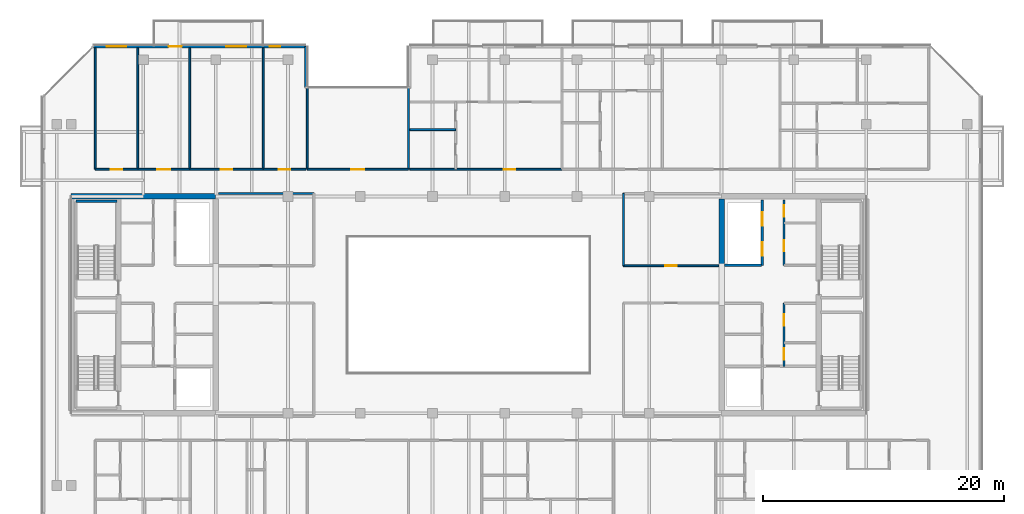
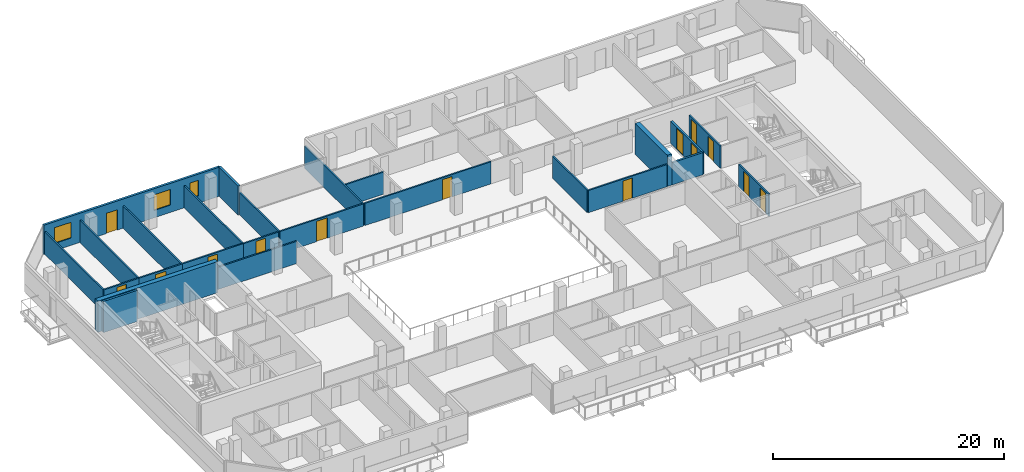
# One storey, part 21 of 28: 25 walls, 14 doors, 3 windows, 17 openings.
"""IFC4 building model written with IfcOpenShell, lengths in metres."""

from ifc_helpers import new_model, si_unit, direction, frame, frame_2d, origin, place, context, subcontext, project, spatial, rectangle, extrude, material, layer, layer_set, type_object, element, fill, save


model = new_model("IFC4")

# Units and contexts
model_context = context("Model", 3, precision=1e-05, world=origin(), true_north=direction((0.0, 1.0)))
body_context = subcontext(model_context, "Body", "Model", "MODEL_VIEW")
ifc_project = project(units=[si_unit("LENGTHUNIT", "METRE"), si_unit("AREAUNIT", "SQUARE_METRE"), si_unit("VOLUMEUNIT", "CUBIC_METRE"), si_unit("PLANEANGLEUNIT", "RADIAN"), si_unit("MASSUNIT", "GRAM", prefix="KILO")], contexts=[model_context])

# Site, building, storey
site_placement = place(None, origin())
site = spatial("IfcSite", under=ifc_project, at=site_placement, CompositionType="ELEMENT")
building_placement = place(site_placement, origin())
building = spatial("IfcBuilding", under=site, at=building_placement, Name="Tanjung Sevakor Pilgrim Tower", CompositionType="ELEMENT")
storey_placement = place(building_placement, frame((0.0, 0.0, 185.1298828125)))
storey = spatial("IfcBuildingStorey", under=building, at=storey_placement, Name="L51", CompositionType="ELEMENT", Elevation=185.1298828125)

# Walls
ifc_material_1 = material(Name="Concrete C60/75", Category="concrete")
ifc_layer_1 = layer(ifc_material_1, 0.449951171875)
ifc_layer_set_1 = layer_set([ifc_layer_1], Name="WALL-CW-450")
wall_type_1 = type_object("IfcWallType", Name="WALL-CW-450", PredefinedType="SHEAR", material=ifc_layer_set_1)
wall_1_placement = place(storey_placement, frame((36.0, 42.60009765625, 0.0), z_axis=(0.0, 0.0, 1.0), x_axis=(-1.0, 0.0, 0.0)))
element("IfcWall", 1, at=wall_1_placement, inside=storey, type_object=wall_type_1, Name="L51 W Core North Shear Wall", PredefinedType="SHEAR", context=body_context, shape_type="SweptSolid", body=[
    extrude(rectangle(XDim=12.0, YDim=0.449951171875, at=frame_2d((6.0, 0.0))), origin(), (0.0, 0.0, 1.0), 3.300048828125),
])
wall_2_placement = place(storey_placement, frame((78.0, 36.800048828125, 0.0), z_axis=(0.0, 0.0, 1.0), x_axis=(0.0, 1.0, 0.0)))
element("IfcWall", 2, at=wall_2_placement, inside=storey, type_object=wall_type_1, Name="L51 E Core Inner Shear Wall North", PredefinedType="SHEAR", context=body_context, shape_type="SweptSolid", body=[
    extrude(rectangle(XDim=5.574951171875, YDim=0.449951171875, at=frame_2d((2.78759765625, 0.0))), origin(), (0.0, 0.0, 1.0), 3.300048828125),
])

# Wall, openings, doors
ifc_material_2 = material(Name="Concrete C40/50", Category="concrete")
ifc_layer_2 = layer(ifc_material_2, 0.14990234375)
ifc_layer_set_2 = layer_set([ifc_layer_2], Name="WT-COMP-150")
wall_type_2 = type_object("IfcWallType", Name="WT-COMP-150", PredefinedType="SOLIDWALL", material=ifc_layer_set_2)
wall_3_placement = place(storey_placement, frame((83.179931640625, 28.5, 0.0), z_axis=(0.0, 0.0, 1.0), x_axis=(0.0, 1.0, 0.0)))
wall_3 = element("IfcWall", 3, at=wall_3_placement, inside=storey, type_object=wall_type_2, Name="L51 Partition IW-L51-018", PredefinedType="SOLIDWALL", context=body_context, shape_type="SweptSolid", body=[
    extrude(rectangle(XDim=5.219970703125, YDim=0.14990234375, at=frame_2d((2.60986328125, 0.0))), origin(), (0.0, 0.0, 1.0), 2.35009765625),
])
opening_1_placement = place(wall_3_placement, frame((0.550048828125, 0.0, 0.0)))
opening_1 = element("IfcOpeningElement", 4, at=opening_1_placement, cuts=wall_3, Name="Opening ID-FD2", PredefinedType="OPENING", context=body_context, shape_type="SweptSolid", body=[
    extrude(rectangle(XDim=0.949951171875, YDim=2.14990234375, at=frame_2d((0.47509765625, 1.074951171875))), frame((0.0, 0.0849609375, 0.0), z_axis=(0.0, -1.0, 0.0), x_axis=(1.0, 0.0, 0.0)), (0.0, 0.0, 1.0), 0.169921875),
])
opening_2_placement = place(wall_3_placement, frame((3.35009765625, 0.0, 0.0)))
opening_2 = element("IfcOpeningElement", 5, at=opening_2_placement, cuts=wall_3, Name="Opening ID-FD2", PredefinedType="OPENING", context=body_context, shape_type="SweptSolid", body=[
    extrude(rectangle(XDim=0.949951171875, YDim=2.14990234375, at=frame_2d((0.47509765625, 1.074951171875))), frame((0.0, 0.0849609375, 0.0), z_axis=(0.0, -1.0, 0.0), x_axis=(1.0, 0.0, 0.0)), (0.0, 0.0, 1.0), 0.169921875),
])
ifc_material_3 = material(Name="Fire-Rated Timber", Category="wood")
door_type_1 = type_object("IfcDoorType", Name="DT-FIRE-950", OperationType="NOTDEFINED", PredefinedType="DOOR", material=ifc_material_3)
door_1_placement = place(opening_1_placement, origin())
door_1 = element("IfcDoor", 6, at=door_1_placement, inside=storey, type_object=door_type_1, Name="L51 Cleaner Store Door", OperationType="SINGLE_SWING_RIGHT", OverallHeight=2.14990234375, OverallWidth=0.949951171875, PredefinedType="DOOR", context=body_context, shape_type="SweptSolid", body=[
    extrude(rectangle(XDim=0.949951171875, YDim=2.14990234375, at=frame_2d((0.47509765625, 1.074951171875))), frame((0.0, 0.02490234375, 0.0), z_axis=(0.0, -1.0, 0.0), x_axis=(1.0, 0.0, 0.0)), (0.0, 0.0, 1.0), 0.050048828125),
])
fill(opening_1, door_1)
door_2_placement = place(opening_2_placement, origin())
door_2 = element("IfcDoor", 7, at=door_2_placement, inside=storey, type_object=door_type_1, Name="L51 Housekeeping Pantry Door", OperationType="SINGLE_SWING_LEFT", OverallHeight=2.14990234375, OverallWidth=0.949951171875, PredefinedType="DOOR", context=body_context, shape_type="SweptSolid", body=[
    extrude(rectangle(XDim=0.949951171875, YDim=2.14990234375, at=frame_2d((0.47509765625, 1.074951171875))), frame((0.0, 0.02490234375, 0.0), z_axis=(0.0, -1.0, 0.0), x_axis=(1.0, 0.0, 0.0)), (0.0, 0.0, 1.0), 0.050048828125),
])
fill(opening_2, door_2)

wall_4_placement = place(storey_placement, frame((83.179931640625, 36.8798828125, 0.0), z_axis=(0.0, 0.0, 1.0), x_axis=(0.0, 1.0, 0.0)))
wall_4 = element("IfcWall", 8, at=wall_4_placement, inside=storey, type_object=wall_type_2, Name="L51 Partition IW-L51-024", PredefinedType="SOLIDWALL", context=body_context, shape_type="SweptSolid", body=[
    extrude(rectangle(XDim=5.420166015625, YDim=0.14990234375, at=frame_2d((2.7099609375, 0.0))), origin(), (0.0, 0.0, 1.0), 2.35009765625),
])
opening_3_placement = place(wall_4_placement, frame((1.14990234375, 0.0, 0.0)))
opening_3 = element("IfcOpeningElement", 9, at=opening_3_placement, cuts=wall_4, Name="Opening ID-FD2", PredefinedType="OPENING", context=body_context, shape_type="SweptSolid", body=[
    extrude(rectangle(XDim=0.949951171875, YDim=2.14990234375, at=frame_2d((0.47509765625, 1.074951171875))), frame((0.0, 0.0849609375, 0.0), z_axis=(0.0, -1.0, 0.0), x_axis=(1.0, 0.0, 0.0)), (0.0, 0.0, 1.0), 0.169921875),
])
opening_4_placement = place(wall_4_placement, frame((4.050048828125, 0.0, 0.0)))
opening_4 = element("IfcOpeningElement", 10, at=opening_4_placement, cuts=wall_4, Name="Opening ID-FD2", PredefinedType="OPENING", context=body_context, shape_type="SweptSolid", body=[
    extrude(rectangle(XDim=0.949951171875, YDim=2.14990234375, at=frame_2d((0.47509765625, 1.074951171875))), frame((0.0, 0.0849609375, 0.0), z_axis=(0.0, -1.0, 0.0), x_axis=(1.0, 0.0, 0.0)), (0.0, 0.0, 1.0), 0.169921875),
])
door_3_placement = place(opening_3_placement, origin())
door_3 = element("IfcDoor", 11, at=door_3_placement, inside=storey, type_object=door_type_1, Name="L51 Core Study Room Door", OperationType="SINGLE_SWING_RIGHT", OverallHeight=2.14990234375, OverallWidth=0.949951171875, PredefinedType="DOOR", context=body_context, shape_type="SweptSolid", body=[
    extrude(rectangle(XDim=0.949951171875, YDim=2.14990234375, at=frame_2d((0.47509765625, 1.074951171875))), frame((0.0, 0.02490234375, 0.0), z_axis=(0.0, -1.0, 0.0), x_axis=(1.0, 0.0, 0.0)), (0.0, 0.0, 1.0), 0.050048828125),
])
fill(opening_3, door_3)
door_4_placement = place(opening_4_placement, origin())
door_4 = element("IfcDoor", 12, at=door_4_placement, inside=storey, type_object=door_type_1, Name="L51 Service Store Door", OperationType="SINGLE_SWING_LEFT", OverallHeight=2.14990234375, OverallWidth=0.949951171875, PredefinedType="DOOR", context=body_context, shape_type="SweptSolid", body=[
    extrude(rectangle(XDim=0.949951171875, YDim=2.14990234375, at=frame_2d((0.47509765625, 1.074951171875))), frame((0.0, 0.02490234375, 0.0), z_axis=(0.0, -1.0, 0.0), x_axis=(1.0, 0.0, 0.0)), (0.0, 0.0, 1.0), 0.050048828125),
])
fill(opening_4, door_4)

# Wall
wall_5_placement = place(storey_placement, frame((36.2451171875, 42.85009765625, 0.0), z_axis=(0.0, 0.0, 1.0), x_axis=(1.0, 0.0, 0.0)))
element("IfcWall", 13, at=wall_5_placement, inside=storey, type_object=wall_type_2, Name="L51 Partition IW-L51-031", PredefinedType="SOLIDWALL", context=body_context, shape_type="SweptSolid", body=[
    extrude(rectangle(XDim=7.90478515625, YDim=0.14990234375, at=frame_2d((3.952392578125, 0.0))), origin(), (0.0, 0.0, 1.0), 2.35009765625),
])

# Wall, opening, door
wall_6_placement = place(storey_placement, frame((69.85009765625, 36.85009765625, 0.0), z_axis=(0.0, 0.0, 1.0), x_axis=(1.0, 0.0, 0.0)))
wall_6 = element("IfcWall", 14, at=wall_6_placement, inside=storey, type_object=wall_type_2, Name="L51 Partition IW-L51-036", PredefinedType="SOLIDWALL", context=body_context, shape_type="SweptSolid", body=[
    extrude(rectangle(XDim=7.90478515625, YDim=0.14990234375, at=frame_2d((3.952392578125, 0.0))), origin(), (0.0, 0.0, 1.0), 2.35009765625),
])
opening_5_placement = place(wall_6_placement, frame((3.4775390625, 0.0, 0.0)))
opening_5 = element("IfcOpeningElement", 15, at=opening_5_placement, cuts=wall_6, Name="Opening ID-RM1", PredefinedType="OPENING", context=body_context, shape_type="SweptSolid", body=[
    extrude(rectangle(XDim=0.949951171875, YDim=2.14990234375, at=frame_2d((0.47509765625, 1.074951171875))), frame((0.0, 0.0849609375, 0.0), z_axis=(0.0, -1.0, 0.0), x_axis=(1.0, 0.0, 0.0)), (0.0, 0.0, 1.0), 0.169921875),
])
ifc_material_4 = material(Name="Hardwood Timber", Category="wood")
door_type_2 = type_object("IfcDoorType", Name="DT-INT-950", OperationType="NOTDEFINED", PredefinedType="DOOR", material=ifc_material_4)
door_5_placement = place(opening_5_placement, origin())
door_5 = element("IfcDoor", 16, at=door_5_placement, inside=storey, type_object=door_type_2, Name="L51 East Inboard North Door", OperationType="SINGLE_SWING_LEFT", OverallHeight=2.14990234375, OverallWidth=0.949951171875, PredefinedType="DOOR", context=body_context, shape_type="SweptSolid", body=[
    extrude(rectangle(XDim=0.949951171875, YDim=2.14990234375, at=frame_2d((0.47509765625, 1.074951171875))), frame((0.0, 0.02490234375, 0.0), z_axis=(0.0, -1.0, 0.0), x_axis=(1.0, 0.0, 0.0)), (0.0, 0.0, 1.0), 0.050048828125),
])
fill(opening_5, door_5)

# Wall
wall_7_placement = place(storey_placement, frame((69.85009765625, 36.85009765625, 0.0), z_axis=(0.0, 0.0, 1.0), x_axis=(0.0, 1.0, 0.0)))
element("IfcWall", 17, at=wall_7_placement, inside=storey, type_object=wall_type_2, Name="L51 Partition IW-L51-038", PredefinedType="SOLIDWALL", context=body_context, shape_type="SweptSolid", body=[
    extrude(rectangle(XDim=6.0, YDim=0.14990234375, at=frame_2d((3.0, 0.0))), origin(), (0.0, 0.0, 1.0), 2.35009765625),
])

# Wall, opening, door
wall_8_placement = place(storey_placement, frame((43.60009765625, 44.85009765625, 0.0), z_axis=(0.0, 0.0, 1.0), x_axis=(1.0, 0.0, 0.0)))
wall_8 = element("IfcWall", 18, at=wall_8_placement, inside=storey, type_object=wall_type_2, Name="L51 Partition IW-L51-042", PredefinedType="SOLIDWALL", context=body_context, shape_type="SweptSolid", body=[
    extrude(rectangle(XDim=8.39990234375, YDim=0.14990234375, at=frame_2d((4.199951171875, 0.0))), origin(), (0.0, 0.0, 1.0), 2.35009765625),
])
opening_6_placement = place(wall_8_placement, frame((3.64990234375, 0.0, 0.0)))
opening_6 = element("IfcOpeningElement", 19, at=opening_6_placement, cuts=wall_8, Name="Opening ID-RM2", PredefinedType="OPENING", context=body_context, shape_type="SweptSolid", body=[
    extrude(rectangle(XDim=1.10009765625, YDim=2.14990234375, at=frame_2d((0.550048828125, 1.074951171875))), frame((0.0, 0.0849609375, 0.0), z_axis=(0.0, -1.0, 0.0), x_axis=(1.0, 0.0, 0.0)), (0.0, 0.0, 1.0), 0.169921875),
])
ifc_material_5 = material(Name="Hardwood Timber", Category="wood")
door_type_3 = type_object("IfcDoorType", Name="DT-INT-1100", OperationType="NOTDEFINED", PredefinedType="DOOR", material=ifc_material_5)
door_6_placement = place(opening_6_placement, origin())
door_6 = element("IfcDoor", 20, at=door_6_placement, inside=storey, type_object=door_type_3, Name="L51 North Cleft Reading Room Door", OperationType="SINGLE_SWING_LEFT", OverallHeight=2.14990234375, OverallWidth=1.10009765625, PredefinedType="DOOR", context=body_context, shape_type="SweptSolid", body=[
    extrude(rectangle(XDim=1.10009765625, YDim=2.14990234375, at=frame_2d((0.550048828125, 1.074951171875))), frame((0.0, 0.02490234375, 0.0), z_axis=(0.0, -1.0, 0.0), x_axis=(1.0, 0.0, 0.0)), (0.0, 0.0, 1.0), 0.050048828125),
])
fill(opening_6, door_6)

# Walls
for number, where, z_axis, x_axis, name in (
    (21, (43.60009765625, 44.85009765625, 0.0), (0.0, 0.0, 1.0), (0.0, 1.0, 0.0), "L51 Partition IW-L51-043"),
    (22, (52.0, 44.85009765625, 0.0), (0.0, 0.0, 1.0), (0.0, 1.0, 0.0), "L51 Partition IW-L51-044"),
    (23, (26.0, 44.85009765625, 0.0), (0.0, 0.0, 1.0), (0.0, 1.0, 0.0), "L51 Partition IW-L51-077"),
    (24, (29.52880859375, 44.85009765625, 0.0), (0.0, 0.0, 1.0), (0.0, 1.0, 0.0), "L51 Partition IW-L51-078"),
):
    element("IfcWall", number, at=place(storey_placement, frame(where, z_axis=z_axis, x_axis=x_axis)), inside=storey, type_object=wall_type_2, Name=name, PredefinedType="SOLIDWALL", context=body_context, shape_type="SweptSolid", body=[
        extrude(rectangle(XDim=10.079833984375, YDim=0.14990234375, at=frame_2d((5.0400390625, 0.0))), origin(), (0.0, 0.0, 1.0), 2.35009765625),
    ])

# Wall, opening, door
wall_9_placement = place(storey_placement, frame((26.0, 44.85009765625, 0.0), z_axis=(0.0, 0.0, 1.0), x_axis=(1.0, 0.0, 0.0)))
wall_9 = element("IfcWall", 25, at=wall_9_placement, inside=storey, type_object=wall_type_2, Name="L51 Partition IW-L51-079", PredefinedType="SOLIDWALL", context=body_context, shape_type="SweptSolid", body=[
    extrude(rectangle(XDim=3.52880859375, YDim=0.14990234375, at=frame_2d((1.764404296875, 0.0))), origin(), (0.0, 0.0, 1.0), 2.35009765625),
])
opening_7_placement = place(wall_9_placement, frame((1.289306640625, 0.0, 0.0)))
opening_7 = element("IfcOpeningElement", 26, at=opening_7_placement, cuts=wall_9, Name="Opening ID-FD2", PredefinedType="OPENING", context=body_context, shape_type="SweptSolid", body=[
    extrude(rectangle(XDim=0.949951171875, YDim=2.14990234375, at=frame_2d((0.47509765625, 1.074951171875))), frame((0.0, 0.0849609375, 0.0), z_axis=(0.0, -1.0, 0.0), x_axis=(1.0, 0.0, 0.0)), (0.0, 0.0, 1.0), 0.169921875),
])
door_7_placement = place(opening_7_placement, origin())
door_7 = element("IfcDoor", 27, at=door_7_placement, inside=storey, type_object=door_type_1, Name="Study Room Entrance", OperationType="SINGLE_SWING_RIGHT", OverallHeight=2.14990234375, OverallWidth=0.949951171875, PredefinedType="DOOR", context=body_context, shape_type="SweptSolid", body=[
    extrude(rectangle(XDim=0.949951171875, YDim=2.14990234375, at=frame_2d((0.47509765625, 1.074951171875))), frame((0.0, 0.02490234375, 0.0), z_axis=(0.0, -1.0, 0.0), x_axis=(1.0, 0.0, 0.0)), (0.0, 0.0, 1.0), 0.050048828125),
])
fill(opening_7, door_7)

# Wall
wall_10_placement = place(storey_placement, frame((33.841552734375, 44.85009765625, 0.0), z_axis=(0.0, 0.0, 1.0), x_axis=(0.0, 1.0, 0.0)))
element("IfcWall", 28, at=wall_10_placement, inside=storey, type_object=wall_type_2, Name="L51 Partition IW-L51-080", PredefinedType="SOLIDWALL", context=body_context, shape_type="SweptSolid", body=[
    extrude(rectangle(XDim=10.079833984375, YDim=0.14990234375, at=frame_2d((5.0400390625, 0.0))), origin(), (0.0, 0.0, 1.0), 2.35009765625),
])

# Wall, opening, door
wall_11_placement = place(storey_placement, frame((29.52880859375, 44.85009765625, 0.0), z_axis=(0.0, 0.0, 1.0), x_axis=(1.0, 0.0, 0.0)))
wall_11 = element("IfcWall", 29, at=wall_11_placement, inside=storey, type_object=wall_type_2, Name="L51 Partition IW-L51-081", PredefinedType="SOLIDWALL", context=body_context, shape_type="SweptSolid", body=[
    extrude(rectangle(XDim=4.312744140625, YDim=0.14990234375, at=frame_2d((2.15625, 0.0))), origin(), (0.0, 0.0, 1.0), 2.35009765625),
])
opening_8_placement = place(wall_11_placement, frame((1.6064453125, 0.0, 0.0)))
opening_8 = element("IfcOpeningElement", 30, at=opening_8_placement, cuts=wall_11, Name="Opening ID-FD0", PredefinedType="OPENING", context=body_context, shape_type="SweptSolid", body=[
    extrude(rectangle(XDim=1.10009765625, YDim=2.14990234375, at=frame_2d((0.550048828125, 1.074951171875))), frame((0.0, 0.0849609375, 0.0), z_axis=(0.0, -1.0, 0.0), x_axis=(1.0, 0.0, 0.0)), (0.0, 0.0, 1.0), 0.169921875),
])
ifc_material_6 = material(Name="Fire-Rated Steel S355J2", Category="steel")
door_type_4 = type_object("IfcDoorType", Name="DT-FIRE-1100", OperationType="NOTDEFINED", PredefinedType="DOOR", material=ifc_material_6)
door_8_placement = place(opening_8_placement, origin())
door_8 = element("IfcDoor", 31, at=door_8_placement, inside=storey, type_object=door_type_4, Name="Seminar Room Door", OperationType="SINGLE_SWING_LEFT", OverallHeight=2.14990234375, OverallWidth=1.10009765625, PredefinedType="DOOR", context=body_context, shape_type="SweptSolid", body=[
    extrude(rectangle(XDim=1.10009765625, YDim=2.14990234375, at=frame_2d((0.550048828125, 1.074951171875))), frame((0.0, 0.02490234375, 0.0), z_axis=(0.0, -1.0, 0.0), x_axis=(1.0, 0.0, 0.0)), (0.0, 0.0, 1.0), 0.050048828125),
])
fill(opening_8, door_8)

# Wall
wall_12_placement = place(storey_placement, frame((39.951416015625, 44.85009765625, 0.0), z_axis=(0.0, 0.0, 1.0), x_axis=(0.0, 1.0, 0.0)))
element("IfcWall", 32, at=wall_12_placement, inside=storey, type_object=wall_type_2, Name="L51 Partition IW-L51-082", PredefinedType="SOLIDWALL", context=body_context, shape_type="SweptSolid", body=[
    extrude(rectangle(XDim=10.079833984375, YDim=0.14990234375, at=frame_2d((5.0400390625, 0.0))), origin(), (0.0, 0.0, 1.0), 2.35009765625),
])

# Wall, opening, door
wall_13_placement = place(storey_placement, frame((33.841552734375, 44.85009765625, 0.0), z_axis=(0.0, 0.0, 1.0), x_axis=(1.0, 0.0, 0.0)))
wall_13 = element("IfcWall", 33, at=wall_13_placement, inside=storey, type_object=wall_type_2, Name="L51 Partition IW-L51-083", PredefinedType="SOLIDWALL", context=body_context, shape_type="SweptSolid", body=[
    extrude(rectangle(XDim=6.10986328125, YDim=0.14990234375, at=frame_2d((3.054931640625, 0.0))), origin(), (0.0, 0.0, 1.0), 2.35009765625),
])
opening_9_placement = place(wall_13_placement, frame((2.579833984375, 0.0, 0.0)))
opening_9 = element("IfcOpeningElement", 34, at=opening_9_placement, cuts=wall_13, Name="Opening ID-FD2", PredefinedType="OPENING", context=body_context, shape_type="SweptSolid", body=[
    extrude(rectangle(XDim=0.949951171875, YDim=2.14990234375, at=frame_2d((0.47509765625, 1.074951171875))), frame((0.0, 0.0849609375, 0.0), z_axis=(0.0, -1.0, 0.0), x_axis=(1.0, 0.0, 0.0)), (0.0, 0.0, 1.0), 0.169921875),
])
door_9_placement = place(opening_9_placement, origin())
door_9 = element("IfcDoor", 35, at=door_9_placement, inside=storey, type_object=door_type_1, Name="Study Room Entrance", OperationType="SINGLE_SWING_RIGHT", OverallHeight=2.14990234375, OverallWidth=0.949951171875, PredefinedType="DOOR", context=body_context, shape_type="SweptSolid", body=[
    extrude(rectangle(XDim=0.949951171875, YDim=2.14990234375, at=frame_2d((0.47509765625, 1.074951171875))), frame((0.0, 0.02490234375, 0.0), z_axis=(0.0, -1.0, 0.0), x_axis=(1.0, 0.0, 0.0)), (0.0, 0.0, 1.0), 0.050048828125),
])
fill(opening_9, door_9)

wall_14_placement = place(storey_placement, frame((39.951416015625, 44.85009765625, 0.0), z_axis=(0.0, 0.0, 1.0), x_axis=(1.0, 0.0, 0.0)))
wall_14 = element("IfcWall", 36, at=wall_14_placement, inside=storey, type_object=wall_type_2, Name="L51 Partition IW-L51-084", PredefinedType="SOLIDWALL", context=body_context, shape_type="SweptSolid", body=[
    extrude(rectangle(XDim=3.528564453125, YDim=0.14990234375, at=frame_2d((1.76416015625, 0.0))), origin(), (0.0, 0.0, 1.0), 2.35009765625),
])
opening_10_placement = place(wall_14_placement, frame((1.289306640625, 0.0, 0.0)))
opening_10 = element("IfcOpeningElement", 37, at=opening_10_placement, cuts=wall_14, Name="Opening ID-FD2", PredefinedType="OPENING", context=body_context, shape_type="SweptSolid", body=[
    extrude(rectangle(XDim=0.949951171875, YDim=2.14990234375, at=frame_2d((0.47509765625, 1.074951171875))), frame((0.0, 0.0849609375, 0.0), z_axis=(0.0, -1.0, 0.0), x_axis=(1.0, 0.0, 0.0)), (0.0, 0.0, 1.0), 0.169921875),
])
door_10_placement = place(opening_10_placement, origin())
door_10 = element("IfcDoor", 38, at=door_10_placement, inside=storey, type_object=door_type_1, Name="Study Room Entrance", OperationType="SINGLE_SWING_LEFT", OverallHeight=2.14990234375, OverallWidth=0.949951171875, PredefinedType="DOOR", context=body_context, shape_type="SweptSolid", body=[
    extrude(rectangle(XDim=0.949951171875, YDim=2.14990234375, at=frame_2d((0.47509765625, 1.074951171875))), frame((0.0, 0.02490234375, 0.0), z_axis=(0.0, -1.0, 0.0), x_axis=(1.0, 0.0, 0.0)), (0.0, 0.0, 1.0), 0.050048828125),
])
fill(opening_10, door_10)

wall_15_placement = place(storey_placement, frame((52.1201171875, 44.85009765625, 0.0), z_axis=(0.0, 0.0, 1.0), x_axis=(1.0, 0.0, 0.0)))
wall_15 = element("IfcWall", 39, at=wall_15_placement, inside=storey, type_object=wall_type_2, Name="L51 Partition IW-L51-091", PredefinedType="SOLIDWALL", context=body_context, shape_type="SweptSolid", body=[
    extrude(rectangle(XDim=12.63671875, YDim=0.14990234375, at=frame_2d((6.318359375, 0.0))), origin(), (0.0, 0.0, 1.0), 2.35009765625),
])
opening_11_placement = place(wall_15_placement, frame((7.783447265625, 0.0, 0.0)))
opening_11 = element("IfcOpeningElement", 40, at=opening_11_placement, cuts=wall_15, Name="Opening ID-FD2", PredefinedType="OPENING", context=body_context, shape_type="SweptSolid", body=[
    extrude(rectangle(XDim=0.949951171875, YDim=2.14990234375, at=frame_2d((0.47509765625, 1.074951171875))), frame((0.0, 0.0849609375, 0.0), z_axis=(0.0, -1.0, 0.0), x_axis=(1.0, 0.0, 0.0)), (0.0, 0.0, 1.0), 0.169921875),
])
door_11_placement = place(opening_11_placement, origin())
door_11 = element("IfcDoor", 41, at=door_11_placement, inside=storey, type_object=door_type_1, Name="Suite Entrance", OperationType="SINGLE_SWING_RIGHT", OverallHeight=2.14990234375, OverallWidth=0.949951171875, PredefinedType="DOOR", context=body_context, shape_type="SweptSolid", body=[
    extrude(rectangle(XDim=0.949951171875, YDim=2.14990234375, at=frame_2d((0.47509765625, 1.074951171875))), frame((0.0, 0.02490234375, 0.0), z_axis=(0.0, -1.0, 0.0), x_axis=(1.0, 0.0, 0.0)), (0.0, 0.0, 1.0), 0.050048828125),
])
fill(opening_11, door_11)

# Wall
ifc_material_7 = material(Name="Precast concrete C45/55", Category="concrete")
ifc_layer_3 = layer(ifc_material_7, 0.219970703125)
ifc_layer_set_3 = layer_set([ifc_layer_3], Name="WT-EW-STN4")
wall_type_3 = type_object("IfcWallType", Name="WT-EW-STN4", PredefinedType="SOLIDWALL", material=ifc_layer_set_3)
wall_16_placement = place(storey_placement, frame((43.489990234375, 51.639892578125, 0.0), z_axis=(0.0, 0.0, 1.0), x_axis=(0.0, 1.0, 0.0)))
element("IfcWall", 42, at=wall_16_placement, inside=storey, type_object=wall_type_3, Name="L51 MAIN Exterior Wall 12", PredefinedType="SOLIDWALL", context=body_context, shape_type="SweptSolid", body=[
    extrude(rectangle(XDim=3.400146484375, YDim=0.219970703125, at=frame_2d((1.7001953125, 0.0))), origin(), (0.0, 0.0, 1.0), 3.080078125),
])

# Wall, openings, door, windows
wall_17_placement = place(storey_placement, frame((43.489990234375, 55.0400390625, 0.0), z_axis=(0.0, 0.0, 1.0), x_axis=(-1.0, 0.0, 0.0)))
wall_17 = element("IfcWall", 43, at=wall_17_placement, inside=storey, type_object=wall_type_3, Name="L51 MAIN Exterior Wall 13", PredefinedType="SOLIDWALL", context=body_context, shape_type="SweptSolid", body=[
    extrude(rectangle(XDim=17.644287109375, YDim=0.219970703125, at=frame_2d((8.822265625, 0.0))), origin(), (0.0, 0.0, 1.0), 3.080078125),
])
opening_12_placement = place(wall_17_placement, frame((10.2900390625, 0.0, 0.0)))
opening_12 = element("IfcOpeningElement", 44, at=opening_12_placement, cuts=wall_17, Name="Opening ED-BAL-1100", PredefinedType="OPENING", context=body_context, shape_type="SweptSolid", body=[
    extrude(rectangle(XDim=1.10009765625, YDim=2.14990234375, at=frame_2d((0.550048828125, 1.074951171875))), frame((0.0, 0.119873046875, 0.0), z_axis=(0.0, -1.0, 0.0), x_axis=(1.0, 0.0, 0.0)), (0.0, 0.0, 1.0), 0.239990234375),
])
opening_13_placement = place(wall_17_placement, frame((14.900634765625, 0.0, 0.780029296875)))
opening_13 = element("IfcOpeningElement", 45, at=opening_13_placement, cuts=wall_17, Name="Opening WN-Z4-1660", PredefinedType="OPENING", context=body_context, shape_type="SweptSolid", body=[
    extrude(rectangle(XDim=1.64990234375, YDim=1.659912109375, at=frame_2d((0.824951171875, 0.830078125))), frame((0.0, 0.119873046875, 0.0), z_axis=(0.0, -1.0, 0.0), x_axis=(1.0, 0.0, 0.0)), (0.0, 0.0, 1.0), 0.239990234375),
])
opening_14_placement = place(wall_17_placement, frame((4.968505859375, 0.0, 0.780029296875)))
opening_14 = element("IfcOpeningElement", 46, at=opening_14_placement, cuts=wall_17, Name="Opening WN-Z4-1660", PredefinedType="OPENING", context=body_context, shape_type="SweptSolid", body=[
    extrude(rectangle(XDim=1.64990234375, YDim=1.659912109375, at=frame_2d((0.824951171875, 0.830078125))), frame((0.0, 0.119873046875, 0.0), z_axis=(0.0, -1.0, 0.0), x_axis=(1.0, 0.0, 0.0)), (0.0, 0.0, 1.0), 0.239990234375),
])
opening_15_placement = place(wall_17_placement, frame((2.1494140625, 0.0, 0.780029296875)))
opening_15 = element("IfcOpeningElement", 47, at=opening_15_placement, cuts=wall_17, Name="Opening WN-SLM", PredefinedType="OPENING", context=body_context, shape_type="SweptSolid", body=[
    extrude(rectangle(XDim=0.85009765625, YDim=1.64990234375, at=frame_2d((0.425048828125, 0.824951171875))), frame((0.0, 0.119873046875, 0.0), z_axis=(0.0, -1.0, 0.0), x_axis=(1.0, 0.0, 0.0)), (0.0, 0.0, 1.0), 0.239990234375),
])
ifc_material_8 = material(Name="Anodised Aluminium and Laminated Glass", Category="aluminium")
door_type_5 = type_object("IfcDoorType", Name="DTYP-ED-BAL-1100", OperationType="NOTDEFINED", PredefinedType="DOOR", material=ifc_material_8)
door_12_placement = place(opening_12_placement, frame((1.10009765625, 0.0, 0.0), z_axis=(0.0, 0.0, 1.0), x_axis=(-1.0, 0.0, 0.0)))
door_12 = element("IfcDoor", 48, at=door_12_placement, inside=storey, type_object=door_type_5, Name="L51 Balcony Door MAIN-N1", OperationType="SINGLE_SWING_LEFT", OverallHeight=2.14990234375, OverallWidth=1.10009765625, PredefinedType="DOOR", context=body_context, shape_type="SweptSolid", body=[
    extrude(rectangle(XDim=1.10009765625, YDim=2.14990234375, at=frame_2d((0.550048828125, 1.074951171875))), frame((0.0, 0.02490234375, 0.0), z_axis=(0.0, -1.0, 0.0), x_axis=(1.0, 0.0, 0.0)), (0.0, 0.0, 1.0), 0.050048828125),
])
fill(opening_12, door_12)
ifc_material_9 = material(Name="Thermally Broken Aluminium and Low-E Glass", Category="aluminium")
window_type_1 = type_object("IfcWindowType", Name="WTYP-WN-SLM", PartitioningType="SINGLE_PANEL", PredefinedType="WINDOW", material=ifc_material_9)
window_1_placement = place(opening_15_placement, origin())
window_1 = element("IfcWindow", 49, at=window_1_placement, inside=storey, type_object=window_type_1, Name="L51 Facade Window 03", OverallHeight=1.64990234375, OverallWidth=0.85009765625, PartitioningType="SINGLE_PANEL", PredefinedType="WINDOW", context=body_context, shape_type="SweptSolid", body=[
    extrude(rectangle(XDim=0.85009765625, YDim=1.64990234375, at=frame_2d((0.425048828125, 0.824951171875))), frame((0.0, 0.030029296875, 0.0), z_axis=(0.0, -1.0, 0.0), x_axis=(1.0, 0.0, 0.0)), (0.0, 0.0, 1.0), 0.06005859375),
])
fill(opening_15, window_1)
ifc_material_10 = material(Name="Thermally Broken Aluminium and Low-E Glass", Category="aluminium")
window_type_2 = type_object("IfcWindowType", Name="WTYP-WN-Z4-1660", PartitioningType="DOUBLE_PANEL_VERTICAL", PredefinedType="WINDOW", material=ifc_material_10)
window_2_placement = place(opening_13_placement, origin())
window_2 = element("IfcWindow", 50, at=window_2_placement, inside=storey, type_object=window_type_2, Name="L51 Facade Window 01", OverallHeight=1.659912109375, OverallWidth=1.64990234375, PartitioningType="SINGLE_PANEL", PredefinedType="WINDOW", context=body_context, shape_type="SweptSolid", body=[
    extrude(rectangle(XDim=1.64990234375, YDim=1.659912109375, at=frame_2d((0.824951171875, 0.830078125))), frame((0.0, 0.030029296875, 0.0), z_axis=(0.0, -1.0, 0.0), x_axis=(1.0, 0.0, 0.0)), (0.0, 0.0, 1.0), 0.06005859375),
])
fill(opening_13, window_2)
window_3_placement = place(opening_14_placement, origin())
window_3 = element("IfcWindow", 51, at=window_3_placement, inside=storey, type_object=window_type_2, Name="L51 Facade Window 02", OverallHeight=1.659912109375, OverallWidth=1.64990234375, PartitioningType="SINGLE_PANEL", PredefinedType="WINDOW", context=body_context, shape_type="SweptSolid", body=[
    extrude(rectangle(XDim=1.64990234375, YDim=1.659912109375, at=frame_2d((0.824951171875, 0.830078125))), frame((0.0, 0.030029296875, 0.0), z_axis=(0.0, -1.0, 0.0), x_axis=(1.0, 0.0, 0.0)), (0.0, 0.0, 1.0), 0.06005859375),
])
fill(opening_14, window_3)

# Walls
ifc_material_11 = material(Name="Concrete C40/50", Category="concrete")
ifc_layer_4 = layer(ifc_material_11, 0.199951171875)
ifc_layer_set_4 = layer_set([ifc_layer_4], Name="WT-FIRE-200")
wall_type_4 = type_object("IfcWallType", Name="WT-FIRE-200", PredefinedType="SOLIDWALL", material=ifc_layer_set_4)
wall_18_placement = place(storey_placement, frame((27.800048828125, 42.199951171875, 0.0), z_axis=(0.0, 0.0, 1.0), x_axis=(-1.0, 0.0, 0.0)))
element("IfcWall", 52, at=wall_18_placement, inside=storey, type_object=wall_type_4, Name="L51 TS-W2 Shaft Wall 2", PredefinedType="SOLIDWALL", context=body_context, shape_type="SweptSolid", body=[
    extrude(rectangle(XDim=3.400146484375, YDim=0.199951171875, at=frame_2d((1.7001953125, 0.0))), origin(), (0.0, 0.0, 1.0), 3.300048828125),
])
ifc_material_12 = material(Name="Concrete C40/50", Category="concrete")
ifc_layer_5 = layer(ifc_material_12, 0.199951171875)
ifc_layer_set_5 = layer_set([ifc_layer_5], Name="WT-FPRT-200")
wall_type_5 = type_object("IfcWallType", Name="WT-FPRT-200", PredefinedType="SOLIDWALL", material=ifc_layer_set_5)
wall_19_placement = place(storey_placement, frame((78.2451171875, 36.8798828125, 0.0), z_axis=(0.0, 0.0, 1.0), x_axis=(1.0, 0.0, 0.0)))
element("IfcWall", 53, at=wall_19_placement, inside=storey, type_object=wall_type_5, Name="L51 Partition IW-L51-025", PredefinedType="SOLIDWALL", context=body_context, shape_type="SweptSolid", body=[
    extrude(rectangle(XDim=3.074951171875, YDim=0.199951171875, at=frame_2d((1.53759765625, 0.0))), origin(), (0.0, 0.0, 1.0), 2.35009765625),
])

# Wall, openings, doors
wall_20_placement = place(storey_placement, frame((81.3798828125, 36.8798828125, 0.0), z_axis=(0.0, 0.0, 1.0), x_axis=(0.0, 1.0, 0.0)))
wall_20 = element("IfcWall", 54, at=wall_20_placement, inside=storey, type_object=wall_type_5, Name="L51 Partition IW-L51-026", PredefinedType="SOLIDWALL", context=body_context, shape_type="SweptSolid", body=[
    extrude(rectangle(XDim=5.420166015625, YDim=0.199951171875, at=frame_2d((2.7099609375, 0.0))), origin(), (0.0, 0.0, 1.0), 2.35009765625),
])
opening_16_placement = place(wall_20_placement, frame((0.800048828125, 0.0, 0.0)))
opening_16 = element("IfcOpeningElement", 55, at=opening_16_placement, cuts=wall_20, Name="Opening LD-1100", PredefinedType="OPENING", context=body_context, shape_type="SweptSolid", body=[
    extrude(rectangle(XDim=1.10009765625, YDim=2.199951171875, at=frame_2d((0.550048828125, 1.10009765625))), frame((0.0, 0.10986328125, 0.0), z_axis=(0.0, -1.0, 0.0), x_axis=(1.0, 0.0, 0.0)), (0.0, 0.0, 1.0), 0.219970703125),
])
opening_17_placement = place(wall_20_placement, frame((3.300048828125, 0.0, 0.0)))
opening_17 = element("IfcOpeningElement", 56, at=opening_17_placement, cuts=wall_20, Name="Opening LD-1100", PredefinedType="OPENING", context=body_context, shape_type="SweptSolid", body=[
    extrude(rectangle(XDim=1.10009765625, YDim=2.199951171875, at=frame_2d((0.550048828125, 1.10009765625))), frame((0.0, 0.10986328125, 0.0), z_axis=(0.0, -1.0, 0.0), x_axis=(1.0, 0.0, 0.0)), (0.0, 0.0, 1.0), 0.219970703125),
])
ifc_material_13 = material(Name="Brushed Stainless Steel S355J2", Category="steel")
door_type_6 = type_object("IfcDoorType", Name="DT-LIFT-1100", OperationType="SLIDING_TO_LEFT", PredefinedType="DOOR", material=ifc_material_13)
door_13_placement = place(opening_16_placement, origin())
door_13 = element("IfcDoor", 57, at=door_13_placement, inside=storey, type_object=door_type_6, Name="LD-PLH1-E", OperationType="SLIDING_TO_LEFT", OverallHeight=2.199951171875, OverallWidth=1.10009765625, PredefinedType="DOOR", context=body_context, shape_type="SweptSolid", body=[
    extrude(rectangle(XDim=1.10009765625, YDim=2.199951171875, at=frame_2d((0.550048828125, 1.10009765625))), frame((0.0, 0.02490234375, 0.0), z_axis=(0.0, -1.0, 0.0), x_axis=(1.0, 0.0, 0.0)), (0.0, 0.0, 1.0), 0.050048828125),
])
fill(opening_16, door_13)
door_14_placement = place(opening_17_placement, origin())
door_14 = element("IfcDoor", 58, at=door_14_placement, inside=storey, type_object=door_type_6, Name="LD-PLH2-E", OperationType="SLIDING_TO_RIGHT", OverallHeight=2.199951171875, OverallWidth=1.10009765625, PredefinedType="DOOR", context=body_context, shape_type="SweptSolid", body=[
    extrude(rectangle(XDim=1.10009765625, YDim=2.199951171875, at=frame_2d((0.550048828125, 1.10009765625))), frame((0.0, 0.02490234375, 0.0), z_axis=(0.0, -1.0, 0.0), x_axis=(1.0, 0.0, 0.0)), (0.0, 0.0, 1.0), 0.050048828125),
])
fill(opening_17, door_14)

# Wall
ifc_material_14 = material(Name="Gypsum Board Partition", Category="gypsum board")
ifc_layer_6 = layer(ifc_material_14, 0.14990234375)
ifc_layer_set_6 = layer_set([ifc_layer_6], Name="WT-PART-150")
wall_type_6 = type_object("IfcWallType", Name="WT-PART-150", PredefinedType="PARTITIONING", material=ifc_layer_set_6)
wall_21_placement = place(storey_placement, frame((52.1201171875, 48.1484375, 0.0), z_axis=(0.0, 0.0, 1.0), x_axis=(1.0, 0.0, 0.0)))
element("IfcWall", 59, at=wall_21_placement, inside=storey, type_object=wall_type_6, Name="L51 Partition IW-L51-087", PredefinedType="PARTITIONING", context=body_context, shape_type="SweptSolid", body=[
    extrude(rectangle(XDim=3.7998046875, YDim=0.14990234375, at=frame_2d((1.89990234375, 0.0))), origin(), (0.0, 0.0, 1.0), 2.35009765625),
])

save(model, "model.ifc")
